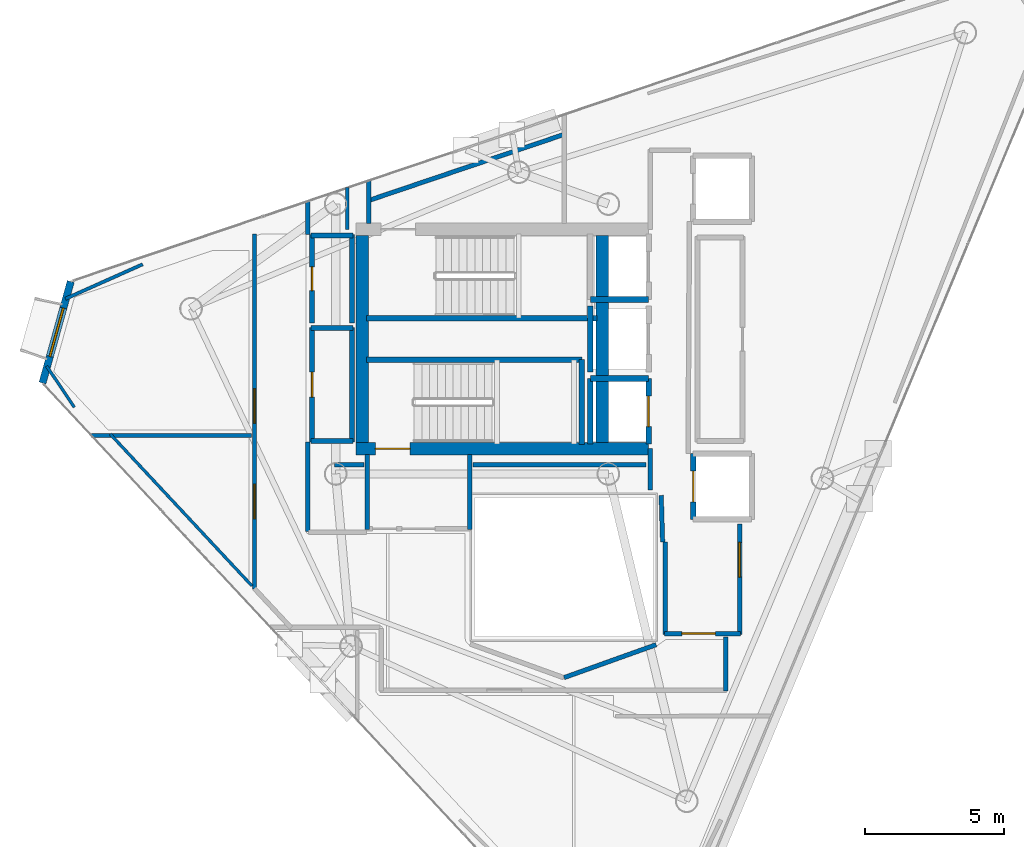
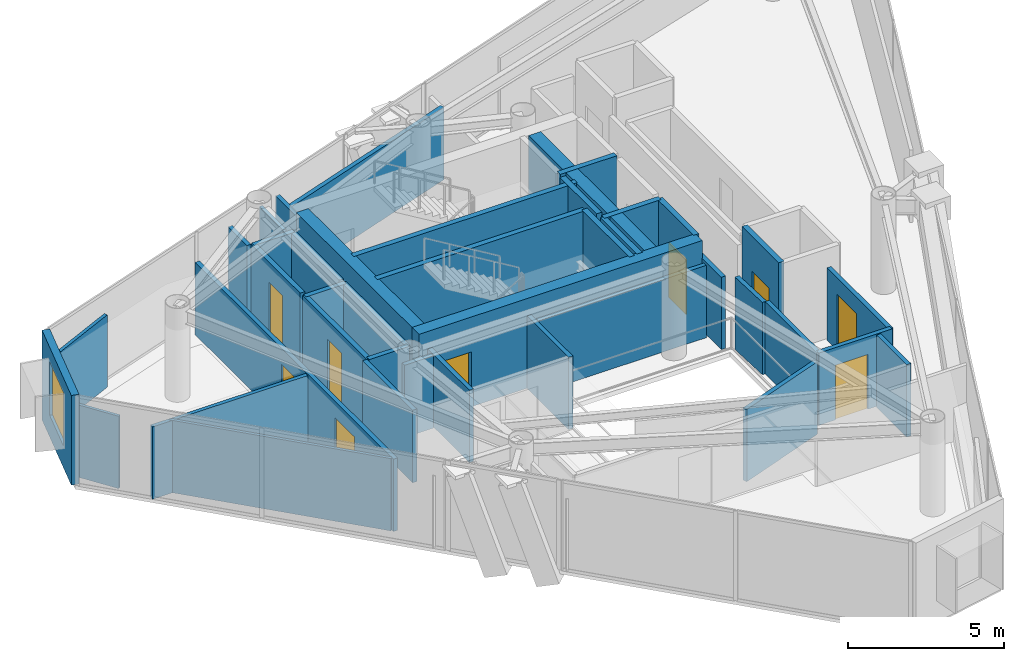
# One storey, part 17 of 19: 41 walls, 9 doors, 1 window, 10 openings.
"""IFC4 building model written with IfcOpenShell, lengths in metres."""

import ifcopenshell
import ifcopenshell.guid

model = None  # the IFC model being written
_history = None  # IfcOwnerHistory: only IFC2X3 demands one
_inside = {}  # id of a spatial element -> (the spatial element, [elements in it])
_under = {}  # id of a project, library or spatial element -> (it, [spatial elements below it])
_declared = {}  # id of a project -> (the project, [libraries it declares])
_typed = {}  # id of a type object -> (the type object, [elements of that type])
_made_of = {}  # id of a material, layer set ... -> (it, [elements and type objects made of it])


def new_model(schema):
    """Start an empty IFC model of exactly this schema.

    Asked for "IFC4X3", IfcOpenShell would pick the latest addendum, in which some entities
    have other attributes; the version numbers below select the first issue.
    IFC2X3 requires an IfcOwnerHistory on every rooted entity: one is made here for all.
    """
    global model, _history
    if schema == "IFC4X3":
        model = ifcopenshell.file(schema_version=(4, 3, 0, 0))
    else:
        model = ifcopenshell.file(schema=schema)
    _inside.clear()
    _under.clear()
    _declared.clear()
    _typed.clear()
    _made_of.clear()
    _history = None
    if model.schema == "IFC2X3":
        org = make("IfcOrganization", Name="unknown")
        user = make(
            "IfcPersonAndOrganization",
            ThePerson=make("IfcPerson", FamilyName="unknown"),
            TheOrganization=org,
        )
        app = make(
            "IfcApplication",
            ApplicationDeveloper=org,
            Version="unknown",
            ApplicationFullName="unknown",
            ApplicationIdentifier="unknown",
        )
        _history = make(
            "IfcOwnerHistory",
            OwningUser=user,
            OwningApplication=app,
            ChangeAction="ADDED",
            CreationDate=0,
        )
    return model


def make(cls, **values):
    """One entity of the class cls with the attributes given. An attribute that is None is left unset."""
    return model.create_entity(
        cls, **{name: value for name, value in values.items() if value is not None}
    )


def rooted(cls, **values):
    """An entity with a GlobalId (a new one), such as an element, a storey or a relation."""
    return make(cls, GlobalId=ifcopenshell.guid.new(), OwnerHistory=_history, **values)


def si_unit(unit_type, name, prefix=None):
    """IfcSIUnit, for example si_unit("LENGTHUNIT", "METRE", prefix="MILLI")."""
    return make("IfcSIUnit", UnitType=unit_type, Prefix=prefix, Name=name)


def assignment(units):
    """IfcUnitAssignment: the units of a project."""
    return None if units is None else make("IfcUnitAssignment", Units=units)


def point(xyz):
    """IfcCartesianPoint."""
    return None if xyz is None else make("IfcCartesianPoint", Coordinates=xyz)


def direction(xyz):
    """IfcDirection."""
    return None if xyz is None else make("IfcDirection", DirectionRatios=xyz)


def frame(location, z_axis=None, x_axis=None):
    """IfcAxis2Placement3D, a coordinate frame: its origin and axes. An axis left out is left unset."""
    return make(
        "IfcAxis2Placement3D",
        Location=point(location),
        Axis=direction(z_axis),
        RefDirection=direction(x_axis),
    )


def frame_2d(location, x_axis=None):
    """IfcAxis2Placement2D, a coordinate frame in the plane: its origin and x axis."""
    return make(
        "IfcAxis2Placement2D", Location=point(location), RefDirection=direction(x_axis)
    )


def origin():
    """The frame at (0, 0, 0) with its axes left unset."""
    return frame((0.0, 0.0, 0.0))


def place(relative_to, where):
    """IfcLocalPlacement: puts the frame where relative to a parent placement (None: the world)."""
    return make(
        "IfcLocalPlacement", PlacementRelTo=relative_to, RelativePlacement=where
    )


def context(
    kind, dimensions, precision=None, world=None, true_north=None, identifier=None
):
    """IfcGeometricRepresentationContext, for example the 3D "Model" context."""
    return make(
        "IfcGeometricRepresentationContext",
        ContextIdentifier=identifier,
        ContextType=kind,
        CoordinateSpaceDimension=dimensions,
        Precision=precision,
        WorldCoordinateSystem=world,
        TrueNorth=true_north,
    )


def subcontext(parent, identifier, kind, view, scale=None):
    """IfcGeometricRepresentationSubContext, for example "Body" below "Model"."""
    return make(
        "IfcGeometricRepresentationSubContext",
        ContextIdentifier=identifier,
        ContextType=kind,
        ParentContext=parent,
        TargetScale=scale,
        TargetView=view,
    )


def project(units=None, contexts=None):
    """IfcProject with its units and contexts."""
    return rooted(
        "IfcProject",
        Name="project",
        RepresentationContexts=contexts,
        UnitsInContext=assignment(units),
    )


def spatial(cls, under=None, at=None, **own):
    """A site, building, storey or space (cls), placed at a placement, below another one or the project."""
    s = rooted(cls, ObjectPlacement=at, **own)
    if under is not None:
        _under.setdefault(under.id(), (under, []))[1].append(s)
    return s


def profile(cls, at=None, kind="AREA", **sizes):
    """A parametric profile (cls). Its sizes go by their IFC names, for example OverallWidth=200.0."""
    return make(cls, ProfileType=kind, Position=at, **sizes)


def rectangle(**sizes):
    """IfcRectangleProfileDef."""
    return profile("IfcRectangleProfileDef", **sizes)


def extrude(swept, where, along, depth):
    """IfcExtrudedAreaSolid: the profile swept, set in the frame where, extruded along a direction by depth."""
    return make(
        "IfcExtrudedAreaSolid",
        SweptArea=swept,
        Position=where,
        ExtrudedDirection=direction(along),
        Depth=depth,
    )


def shape(context_of_items, identifier, shape_type, items):
    """IfcShapeRepresentation: the items that make up one representation, for example the "Body"."""
    return make(
        "IfcShapeRepresentation",
        ContextOfItems=context_of_items,
        RepresentationIdentifier=identifier,
        RepresentationType=shape_type,
        Items=items,
    )


def material(Name=None, Category=None):
    """IfcMaterial."""
    return make("IfcMaterial", Name=Name, Category=Category)


def layer(
    of_material, thickness, ventilated=None, Name=None, Category=None, Priority=None
):
    """IfcMaterialLayer: one layer of a wall or slab, of a material (None: an air gap)."""
    return make(
        "IfcMaterialLayer",
        Material=of_material,
        LayerThickness=thickness,
        IsVentilated=ventilated,
        Name=Name,
        Category=Category,
        Priority=Priority,
    )


def layer_set(layers, Name=None):
    """IfcMaterialLayerSet."""
    return make("IfcMaterialLayerSet", MaterialLayers=layers, LayerSetName=Name)


def made_of(thing, what):
    """Note that an element or type object is made of a material, layer set ...; save() writes the relation."""
    if what is not None:
        _made_of.setdefault(what.id(), (what, []))[1].append(thing)
    return thing


def type_object(cls, material=None, **own):
    """A type object (cls), such as IfcWallType, which elements share."""
    return made_of(rooted(cls, **own), material)


def element(
    cls,
    number,
    at=None,
    inside=None,
    cuts=None,
    type_object=None,
    material=None,
    context=None,
    identifier="Body",
    shape_type=None,
    held_by="IfcProductDefinitionShape",
    body=None,
    shapes=None,
    **own,
):
    """One element of the class cls, such as IfcWall. Its Tag is "e" and its number.

    at: its placement. inside: the storey or other place that contains it. cuts: it is an
    opening in that element (IfcRelVoidsElement). A single representation is given by context,
    identifier, shape_type and body (its items); several are given by shapes. held_by: the class
    of the entity that holds the representations. save() writes the other relations.
    """
    e = rooted(cls, Tag="e%d" % number, ObjectPlacement=at, **own)
    if body is not None:
        shapes = [shape(context, identifier, shape_type, body)]
    if shapes is not None:
        e.Representation = make(held_by, Representations=shapes)
    if inside is not None:
        _inside.setdefault(inside.id(), (inside, []))[1].append(e)
    if cuts is not None:
        rooted(
            "IfcRelVoidsElement", RelatingBuildingElement=cuts, RelatedOpeningElement=e
        )
    if type_object is not None:
        _typed.setdefault(type_object.id(), (type_object, []))[1].append(e)
    return made_of(e, material)


def fill(opening, filler):
    """IfcRelFillsElement: the door or window that sits in an opening."""
    return rooted(
        "IfcRelFillsElement",
        RelatingOpeningElement=opening,
        RelatedBuildingElement=filler,
    )


def aggregate(whole, parts):
    """IfcRelAggregates: a whole, such as a stair, and the parts it consists of."""
    return rooted("IfcRelAggregates", RelatingObject=whole, RelatedObjects=parts)


def save(model, path):
    """Write the relations noted so far, then the file.

    IfcRelAggregates (storeys below a building ...), IfcRelContainedInSpatialStructure (elements
    in a storey), IfcRelDefinesByType, IfcRelAssociatesMaterial and IfcRelDeclares: one each for
    every whole, place, type object, material and project.
    """
    for whole, parts in _under.values():
        aggregate(whole, parts)
    for where, things in _inside.values():
        rooted(
            "IfcRelContainedInSpatialStructure",
            RelatedElements=things,
            RelatingStructure=where,
        )
    for kind, things in _typed.values():
        rooted("IfcRelDefinesByType", RelatedObjects=things, RelatingType=kind)
    for what, things in _made_of.values():
        rooted("IfcRelAssociatesMaterial", RelatedObjects=things, RelatingMaterial=what)
    for by, libraries in _declared.values():
        rooted("IfcRelDeclares", RelatingContext=by, RelatedDefinitions=libraries)
    model.write(path)


model = new_model("IFC4")

# Units and contexts
model_context = context("Model", 3, precision=1e-05, world=origin(), true_north=direction((0.0, 1.0)))
body_context = subcontext(model_context, "Body", "Model", "MODEL_VIEW")
ifc_project = project(units=[si_unit("LENGTHUNIT", "METRE"), si_unit("AREAUNIT", "SQUARE_METRE"), si_unit("VOLUMEUNIT", "CUBIC_METRE"), si_unit("PLANEANGLEUNIT", "RADIAN"), si_unit("MASSUNIT", "GRAM", prefix="KILO")], contexts=[model_context])

# Site, building, storey
site_placement = place(None, origin())
site = spatial("IfcSite", under=ifc_project, at=site_placement, CompositionType="ELEMENT")
building_placement = place(site_placement, origin())
building = spatial("IfcBuilding", under=site, at=building_placement, Name="Qianvela Tower", CompositionType="ELEMENT")
storey_placement = place(building_placement, frame((0.0, 0.0, 333.300048828125)))
storey = spatial("IfcBuildingStorey", under=building, at=storey_placement, Name="L86", CompositionType="ELEMENT", Elevation=333.300048828125)

# Wall, opening, window
ifc_material_1 = material(Name="Terracotta Cladding on Concrete C40", Category="masonry")
ifc_layer_1 = layer(ifc_material_1, 0.260009765625)
ifc_layer_set_1 = layer_set([ifc_layer_1], Name="Terracotta Cladding on Concrete C40")
wall_type_1 = type_object("IfcWallType", Name="TERRACOTTA-WALL-260", PredefinedType="SOLIDWALL", material=ifc_layer_set_1)
wall_1_placement = place(storey_placement, frame((19.0771484375, 30.7646484375, 0.0), z_axis=(0.0, 0.0, 1.0), x_axis=(-0.268471972046, -0.963287496143, 0.0)))
wall_1 = element("IfcWall", 1, at=wall_1_placement, inside=storey, type_object=wall_type_1, Name="L86 Terracotta Chamfer Facet Wall 3", PredefinedType="SOLIDWALL", context=body_context, shape_type="SweptSolid", body=[
    extrude(rectangle(XDim=3.78564453125, YDim=0.260009765625, at=frame_2d((1.892822265625, 0.0))), origin(), (0.0, 0.0, 1.0), 3.52001953125),
])
opening_1_placement = place(wall_1_placement, frame((0.992919921875, 0.0, 0.85009765625)))
opening_1 = element("IfcOpeningElement", 2, at=opening_1_placement, cuts=wall_1, Name="Opening W-01", PredefinedType="OPENING", context=body_context, shape_type="SweptSolid", body=[
    extrude(rectangle(XDim=1.800048828125, YDim=2.10009765625, at=frame_2d((0.89990234375, 1.050048828125))), frame((0.0, 0.139892578125, 0.0), z_axis=(0.0, -1.0, 0.0), x_axis=(1.0, 0.0, 0.0)), (0.0, 0.0, 1.0), 0.280029296875),
])
ifc_material_2 = material(Name="Thermally Broken Aluminium and Low-E Glass", Category="aluminium")
window_type = type_object("IfcWindowType", Name="WIN-TC-1800x2100", PartitioningType="DOUBLE_PANEL_VERTICAL", PredefinedType="WINDOW", material=ifc_material_2)
window_placement = place(opening_1_placement, origin())
window = element("IfcWindow", 3, at=window_placement, inside=storey, type_object=window_type, Name="L86 Chamfer Facet Window 3.1", OverallHeight=2.10009765625, OverallWidth=1.800048828125, PartitioningType="SINGLE_PANEL", PredefinedType="WINDOW", context=body_context, shape_type="SweptSolid", body=[
    extrude(rectangle(XDim=1.800048828125, YDim=2.10009765625, at=frame_2d((0.89990234375, 1.050048828125))), frame((0.0, 0.030029296875, 0.0), z_axis=(0.0, -1.0, 0.0), x_axis=(1.0, 0.0, 0.0)), (0.0, 0.0, 1.0), 0.06005859375),
])
fill(opening_1, window)

# Wall, opening, door
ifc_material_3 = material(Name="Concrete C50", Category="concrete")
ifc_layer_2 = layer(ifc_material_3, 0.449951171875)
ifc_layer_set_2 = layer_set([ifc_layer_2], Name="Concrete C50")
wall_type_2 = type_object("IfcWallType", Name="WT-CORE-450", PredefinedType="SHEAR", material=ifc_layer_set_2)
wall_2_placement = place(storey_placement, frame((29.330078125, 24.7548828125, 0.0), z_axis=(0.0, 0.0, 1.0), x_axis=(1.0, 0.0, 0.0)))
wall_2 = element("IfcWall", 4, at=wall_2_placement, inside=storey, type_object=wall_type_2, Name="L86 South Core Shear Wall", PredefinedType="SHEAR", context=body_context, shape_type="SweptSolid", body=[
    extrude(rectangle(XDim=10.52001953125, YDim=0.449951171875, at=frame_2d((5.260009765625, 0.0))), origin(), (0.0, 0.0, 1.0), 3.52001953125),
])
opening_2_placement = place(wall_2_placement, frame((0.695068359375, 0.0, 0.0)))
opening_2 = element("IfcOpeningElement", 5, at=opening_2_placement, cuts=wall_2, Name="Opening D-ST1", PredefinedType="OPENING", context=body_context, shape_type="SweptSolid", body=[
    extrude(rectangle(XDim=1.25, YDim=2.14990234375, at=frame_2d((0.625, 1.074951171875))), frame((0.0, 0.23486328125, 0.0), z_axis=(0.0, -1.0, 0.0), x_axis=(1.0, 0.0, 0.0)), (0.0, 0.0, 1.0), 0.469970703125),
])
ifc_material_4 = material(Name="Galvanised Fire Steel Q355B", Category="steel")
door_type_1 = type_object("IfcDoorType", Name="DT-STAIR-FD90", OperationType="NOTDEFINED", PredefinedType="DOOR", material=ifc_material_4)
door_1_placement = place(opening_2_placement, origin())
door_1 = element("IfcDoor", 6, at=door_1_placement, inside=storey, type_object=door_type_1, Name="L86 Stair ST-2 Exit Door", OperationType="SINGLE_SWING_RIGHT", OverallHeight=2.14990234375, OverallWidth=1.25, PredefinedType="DOOR", context=body_context, shape_type="SweptSolid", body=[
    extrude(rectangle(XDim=1.25, YDim=2.14990234375, at=frame_2d((0.625, 1.074951171875))), frame((0.0, 0.02490234375, 0.0), z_axis=(0.0, -1.0, 0.0), x_axis=(1.0, 0.0, 0.0)), (0.0, 0.0, 1.0), 0.050048828125),
])
fill(opening_2, door_1)

# Walls
for number, where, z_axis, x_axis, name in (
    (7, (29.554931640625, 24.97998046875, 0.0), (0.0, 0.0, 1.0), (0.0, 1.0, 0.0), "L86 West Core Shear Wall"),
    (8, (38.179931640625, 24.97998046875, 0.0), (0.0, 0.0, 1.0), (0.0, 1.0, 0.0), "L86 East Spine Core Shear Wall"),
):
    element("IfcWall", number, at=place(storey_placement, frame(where, z_axis=z_axis, x_axis=x_axis)), inside=storey, type_object=wall_type_2, Name=name, PredefinedType="SHEAR", context=body_context, shape_type="SweptSolid", body=[
        extrude(rectangle(XDim=7.43994140625, YDim=0.449951171875, at=frame_2d((3.719970703125, 0.0))), origin(), (0.0, 0.0, 1.0), 3.52001953125),
    ])
ifc_material_5 = material(Name="Fire-Rated Gypsum and Concrete Block", Category="concrete")
ifc_layer_3 = layer(ifc_material_5, 0.159912109375)
ifc_layer_set_3 = layer_set([ifc_layer_3], Name="Fire-Rated Gypsum and Concrete Block")
wall_type_3 = type_object("IfcWallType", Name="WT-CORR-160", PredefinedType="PARTITIONING", material=ifc_layer_set_3)
wall_3_placement = place(storey_placement, frame((29.760009765625, 33.66943359375, 0.0), z_axis=(0.0, 0.0, 1.0), x_axis=(0.947283213355, 0.32039743085, 0.0)))
element("IfcWall", 9, at=wall_3_placement, inside=storey, type_object=wall_type_3, Name="L86 Partition 1", PredefinedType="PARTITIONING", context=body_context, shape_type="SweptSolid", body=[
    extrude(rectangle(XDim=7.494873046875, YDim=0.159912109375, at=frame_2d((3.74755859375, 0.0))), origin(), (0.0, 0.0, 1.0), 2.83984375),
])
wall_4_placement = place(storey_placement, frame((29.781005859375, 32.85791015625, 0.0), z_axis=(0.0, 0.0, 1.0), x_axis=(0.0, 1.0, 0.0)))
element("IfcWall", 10, at=wall_4_placement, inside=storey, type_object=wall_type_3, Name="L86 Partition 4", PredefinedType="PARTITIONING", context=body_context, shape_type="SweptSolid", body=[
    extrude(rectangle(XDim=1.547119140625, YDim=0.159912109375, at=frame_2d((0.7734375, 0.0))), origin(), (0.0, 0.0, 1.0), 2.83984375),
])
for number, where, z_axis, x_axis, name in (
    (11, (29.73095703125, 21.85009765625, 0.0), (0.0, 0.0, 1.0), (0.0, 1.0, 0.0), "L86 Partition 6"),
    (12, (33.4189453125, 24.5419921875, 0.0), (0.0, 0.0, 1.0), (0.0, -1.0, 0.0), "L86 Partition 8"),
):
    element("IfcWall", number, at=place(storey_placement, frame(where, z_axis=z_axis, x_axis=x_axis)), inside=storey, type_object=wall_type_3, Name=name, PredefinedType="PARTITIONING", context=body_context, shape_type="SweptSolid", body=[
        extrude(rectangle(XDim=2.69189453125, YDim=0.159912109375, at=frame_2d((1.345947265625, 0.0))), origin(), (0.0, 0.0, 1.0), 2.83984375),
    ])
wall_5_placement = place(storey_placement, frame((40.35107421875, 21.40087890625, 0.0), z_axis=(0.0, 0.0, 1.0), x_axis=(-0.031058045979, 0.999517582527, 0.0)))
element("IfcWall", 13, at=wall_5_placement, inside=storey, type_object=wall_type_3, Name="L86 Partition 9", PredefinedType="PARTITIONING", context=body_context, shape_type="SweptSolid", body=[
    extrude(rectangle(XDim=1.68212890625, YDim=0.159912109375, at=frame_2d((0.841064453125, 0.0))), origin(), (0.0, 0.0, 1.0), 2.83984375),
])
wall_6_placement = place(storey_placement, frame((39.910888671875, 23.280029296875, 0.0), z_axis=(0.0, 0.0, 1.0), x_axis=(0.0, 1.0, 0.0)))
element("IfcWall", 14, at=wall_6_placement, inside=storey, type_object=wall_type_3, Name="L86 Partition 10", PredefinedType="PARTITIONING", context=body_context, shape_type="SweptSolid", body=[
    extrude(rectangle(XDim=1.47998046875, YDim=0.159912109375, at=frame_2d((0.739990234375, 0.0))), origin(), (0.0, 0.0, 1.0), 2.83984375),
])

# Wall, opening, door
wall_7_placement = place(storey_placement, frame((43.118896484375, 22.050048828125, 0.0), z_axis=(0.0, 0.0, 1.0), x_axis=(0.0, -1.0, 0.0)))
wall_7 = element("IfcWall", 15, at=wall_7_placement, inside=storey, type_object=wall_type_3, Name="L86 Partition 16", PredefinedType="PARTITIONING", context=body_context, shape_type="SweptSolid", body=[
    extrude(rectangle(XDim=3.969970703125, YDim=0.159912109375, at=frame_2d((1.98486328125, 0.0))), origin(), (0.0, 0.0, 1.0), 2.83984375),
])
opening_3_placement = place(wall_7_placement, frame((0.659912109375, 0.0, 0.0)))
opening_3 = element("IfcOpeningElement", 16, at=opening_3_placement, cuts=wall_7, Name="Opening D-LG1", PredefinedType="OPENING", context=body_context, shape_type="SweptSolid", body=[
    extrude(rectangle(XDim=1.25, YDim=2.199951171875, at=frame_2d((0.625, 1.10009765625))), frame((0.0, 0.08984375, 0.0), z_axis=(0.0, -1.0, 0.0), x_axis=(1.0, 0.0, 0.0)), (0.0, 0.0, 1.0), 0.179931640625),
])
ifc_material_6 = material(Name="Anodised Aluminium Acoustic Glass Door", Category="aluminium")
door_type_2 = type_object("IfcDoorType", Name="DT-LOUNGE-1250", OperationType="NOTDEFINED", PredefinedType="DOOR", material=ifc_material_6)
door_2_placement = place(opening_3_placement, origin())
door_2 = element("IfcDoor", 17, at=door_2_placement, inside=storey, type_object=door_type_2, Name="L86 Door Social Sitting Lounge L86-03 to L86 Lift Lobby", OperationType="SINGLE_SWING_LEFT", OverallHeight=2.199951171875, OverallWidth=1.25, PredefinedType="DOOR", context=body_context, shape_type="SweptSolid", body=[
    extrude(rectangle(XDim=1.25, YDim=2.199951171875, at=frame_2d((0.625, 1.10009765625))), frame((0.0, 0.02490234375, 0.0), z_axis=(0.0, -1.0, 0.0), x_axis=(1.0, 0.0, 0.0)), (0.0, 0.0, 1.0), 0.050048828125),
])
fill(opening_3, door_2)

wall_8_placement = place(storey_placement, frame((43.14990234375, 18.111083984375, 0.0), z_axis=(0.0, 0.0, 1.0), x_axis=(-1.0, 0.0, 0.0)))
wall_8 = element("IfcWall", 18, at=wall_8_placement, inside=storey, type_object=wall_type_3, Name="L86 Partition 17", PredefinedType="PARTITIONING", context=body_context, shape_type="SweptSolid", body=[
    extrude(rectangle(XDim=2.72998046875, YDim=0.159912109375, at=frame_2d((1.364990234375, 0.0))), origin(), (0.0, 0.0, 1.0), 2.83984375),
])
opening_4_placement = place(wall_8_placement, frame((0.905029296875, 0.0, 0.0)))
opening_4 = element("IfcOpeningElement", 19, at=opening_4_placement, cuts=wall_8, Name="Opening D-LB1", PredefinedType="OPENING", context=body_context, shape_type="SweptSolid", body=[
    extrude(rectangle(XDim=1.199951171875, YDim=2.14990234375, at=frame_2d((0.60009765625, 1.074951171875))), frame((0.0, 0.08984375, 0.0), z_axis=(0.0, -1.0, 0.0), x_axis=(1.0, 0.0, 0.0)), (0.0, 0.0, 1.0), 0.179931640625),
])
ifc_material_7 = material(Name="Glazed Fire-Rated Steel Frame", Category="steel")
door_type_3 = type_object("IfcDoorType", Name="DT-LOBBY-FD90", OperationType="NOTDEFINED", PredefinedType="DOOR", material=ifc_material_7)
door_3_placement = place(opening_4_placement, origin())
door_3 = element("IfcDoor", 20, at=door_3_placement, inside=storey, type_object=door_type_3, Name="L86 Door L86 Lift Lobby to L86 Floor Corridor", OperationType="SINGLE_SWING_LEFT", OverallHeight=2.14990234375, OverallWidth=1.199951171875, PredefinedType="DOOR", context=body_context, shape_type="SweptSolid", body=[
    extrude(rectangle(XDim=1.199951171875, YDim=2.14990234375, at=frame_2d((0.60009765625, 1.074951171875))), frame((0.0, 0.02490234375, 0.0), z_axis=(0.0, -1.0, 0.0), x_axis=(1.0, 0.0, 0.0)), (0.0, 0.0, 1.0), 0.050048828125),
])
fill(opening_4, door_3)

# Walls
wall_9_placement = place(storey_placement, frame((40.450927734375, 18.080078125, 0.0), z_axis=(0.0, 0.0, 1.0), x_axis=(0.0, 1.0, 0.0)))
element("IfcWall", 21, at=wall_9_placement, inside=storey, type_object=wall_type_3, Name="L86 Partition 18 seg 1", PredefinedType="PARTITIONING", context=body_context, shape_type="SweptSolid", body=[
    extrude(rectangle(XDim=3.31982421875, YDim=0.159912109375, at=frame_2d((1.659912109375, 0.0))), origin(), (0.0, 0.0, 1.0), 2.83984375),
])
wall_10_placement = place(storey_placement, frame((29.6201171875, 24.180908203125, 0.0), z_axis=(0.0, 0.0, 1.0), x_axis=(-1.0, 0.0, 0.0)))
element("IfcWall", 22, at=wall_10_placement, inside=storey, type_object=wall_type_3, Name="L86 Partition 36", PredefinedType="PARTITIONING", context=body_context, shape_type="SweptSolid", body=[
    extrude(rectangle(XDim=1.070068359375, YDim=0.159912109375, at=frame_2d((0.53515625, 0.0))), origin(), (0.0, 0.0, 1.0), 2.83984375),
])
wall_11_placement = place(storey_placement, frame((39.75, 24.180908203125, 0.0), z_axis=(0.0, 0.0, 1.0), x_axis=(-1.0, 0.0, 0.0)))
element("IfcWall", 23, at=wall_11_placement, inside=storey, type_object=wall_type_3, Name="L86 Partition 44", PredefinedType="PARTITIONING", context=body_context, shape_type="SweptSolid", body=[
    extrude(rectangle(XDim=6.219970703125, YDim=0.159912109375, at=frame_2d((3.10986328125, 0.0))), origin(), (0.0, 0.0, 1.0), 2.83984375),
])
wall_12_placement = place(storey_placement, frame((27.589111328125, 33.66357421875, 0.0), z_axis=(0.0, 0.0, 1.0), x_axis=(0.0, -1.0, 0.0)))
element("IfcWall", 24, at=wall_12_placement, inside=storey, type_object=wall_type_3, Name="L86 Partition 45 seg 1", PredefinedType="PARTITIONING", context=body_context, shape_type="SweptSolid", body=[
    extrude(rectangle(XDim=1.213623046875, YDim=0.159912109375, at=frame_2d((0.60693359375, 0.0))), origin(), (0.0, 0.0, 1.0), 2.83984375),
])
wall_13_placement = place(storey_placement, frame((27.589111328125, 25.0, 0.0), z_axis=(0.0, 0.0, 1.0), x_axis=(0.0, -1.0, 0.0)))
element("IfcWall", 25, at=wall_13_placement, inside=storey, type_object=wall_type_3, Name="L86 Partition 45 seg 3", PredefinedType="PARTITIONING", context=body_context, shape_type="SweptSolid", body=[
    extrude(rectangle(XDim=3.219970703125, YDim=0.159912109375, at=frame_2d((1.60986328125, 0.0))), origin(), (0.0, 0.0, 1.0), 2.83984375),
])
wall_14_placement = place(storey_placement, frame((36.810302734375, 16.52880859375, 0.0), z_axis=(0.0, 0.0, 1.0), x_axis=(0.941548344365, 0.33687789364, 0.0)))
element("IfcWall", 26, at=wall_14_placement, inside=storey, type_object=wall_type_3, Name="L86 Partition 48", PredefinedType="PARTITIONING", context=body_context, shape_type="SweptSolid", body=[
    extrude(rectangle(XDim=3.5126953125, YDim=0.159912109375, at=frame_2d((1.75634765625, 0.0))), origin(), (0.0, 0.0, 1.0), 2.83984375),
])
wall_15_placement = place(storey_placement, frame((42.618896484375, 17.97998046875, 0.0), z_axis=(0.0, 0.0, 1.0), x_axis=(0.0, -1.0, 0.0)))
element("IfcWall", 27, at=wall_15_placement, inside=storey, type_object=wall_type_3, Name="L86 Partition 50", PredefinedType="PARTITIONING", context=body_context, shape_type="SweptSolid", body=[
    extrude(rectangle(XDim=1.929931640625, YDim=0.159912109375, at=frame_2d((0.96484375, 0.0))), origin(), (0.0, 0.0, 1.0), 2.83984375),
])

# Wall, openings, doors
wall_16_placement = place(storey_placement, frame((25.680908203125, 19.716064453125, 0.0), z_axis=(0.0, 0.0, 1.0), x_axis=(0.0, 1.0, 0.0)))
wall_16 = element("IfcWall", 28, at=wall_16_placement, inside=storey, type_object=wall_type_3, Name="L86 Partition 55", PredefinedType="PARTITIONING", context=body_context, shape_type="SweptSolid", body=[
    extrude(rectangle(XDim=12.7490234375, YDim=0.159912109375, at=frame_2d((6.37451171875, 0.0))), origin(), (0.0, 0.0, 1.0), 2.83984375),
])
opening_5_placement = place(wall_16_placement, frame((2.516357421875, 0.0, 0.0)))
opening_5 = element("IfcOpeningElement", 29, at=opening_5_placement, cuts=wall_16, Name="Opening D-LG1", PredefinedType="OPENING", context=body_context, shape_type="SweptSolid", body=[
    extrude(rectangle(XDim=1.25, YDim=2.199951171875, at=frame_2d((0.625, 1.10009765625))), frame((0.0, 0.08984375, 0.0), z_axis=(0.0, -1.0, 0.0), x_axis=(1.0, 0.0, 0.0)), (0.0, 0.0, 1.0), 0.179931640625),
])
opening_6_placement = place(wall_16_placement, frame((5.9521484375, 0.0, 0.0)))
opening_6 = element("IfcOpeningElement", 30, at=opening_6_placement, cuts=wall_16, Name="Opening D-LG1", PredefinedType="OPENING", context=body_context, shape_type="SweptSolid", body=[
    extrude(rectangle(XDim=1.25, YDim=2.199951171875, at=frame_2d((0.625, 1.10009765625))), frame((0.0, 0.08984375, 0.0), z_axis=(0.0, -1.0, 0.0), x_axis=(1.0, 0.0, 0.0)), (0.0, 0.0, 1.0), 0.179931640625),
])
door_4_placement = place(opening_5_placement, origin())
door_4 = element("IfcDoor", 31, at=door_4_placement, inside=storey, type_object=door_type_2, Name="L86 Door Quiet Reading Study L86-01 to L86 Floor Corridor", OperationType="SINGLE_SWING_LEFT", OverallHeight=2.199951171875, OverallWidth=1.25, PredefinedType="DOOR", context=body_context, shape_type="SweptSolid", body=[
    extrude(rectangle(XDim=1.25, YDim=2.199951171875, at=frame_2d((0.625, 1.10009765625))), frame((0.0, 0.02490234375, 0.0), z_axis=(0.0, -1.0, 0.0), x_axis=(1.0, 0.0, 0.0)), (0.0, 0.0, 1.0), 0.050048828125),
])
fill(opening_5, door_4)
door_5_placement = place(opening_6_placement, origin())
door_5 = element("IfcDoor", 32, at=door_5_placement, inside=storey, type_object=door_type_2, Name="L86 Door Commons Day Lounge L86-04 to L86 Floor Corridor", OperationType="SINGLE_SWING_RIGHT", OverallHeight=2.199951171875, OverallWidth=1.25, PredefinedType="DOOR", context=body_context, shape_type="SweptSolid", body=[
    extrude(rectangle(XDim=1.25, YDim=2.199951171875, at=frame_2d((0.625, 1.10009765625))), frame((0.0, 0.02490234375, 0.0), z_axis=(0.0, -1.0, 0.0), x_axis=(1.0, 0.0, 0.0)), (0.0, 0.0, 1.0), 0.050048828125),
])
fill(opening_6, door_5)

# Walls
ifc_material_8 = material(Name="Lightweight Gypsum Room Partition")
ifc_layer_4 = layer(ifc_material_8, 0.10498046875)
ifc_layer_set_4 = layer_set([ifc_layer_4], Name="Lightweight Gypsum Room Partition")
wall_type_4 = type_object("IfcWallType", Name="WT-PART-105", PredefinedType="PARTITIONING", material=ifc_layer_set_4)
wall_17_placement = place(storey_placement, frame((25.5927734375, 19.82275390625, 0.0), z_axis=(0.0, 0.0, 1.0), x_axis=(-0.68251047359, 0.730875812598, 0.0)))
element("IfcWall", 33, at=wall_17_placement, inside=storey, type_object=wall_type_4, Name="L86 Partition 59", PredefinedType="PARTITIONING", context=body_context, shape_type="SweptSolid", body=[
    extrude(rectangle(XDim=7.4658203125, YDim=0.10498046875, at=frame_2d((3.73291015625, 0.0))), origin(), (0.0, 0.0, 1.0), 2.83984375),
])
wall_18_placement = place(storey_placement, frame((19.203125, 26.24609375, 0.0), z_axis=(0.0, 0.0, 1.0), x_axis=(-0.556280915469, 0.830994309899, 0.0)))
element("IfcWall", 34, at=wall_18_placement, inside=storey, type_object=wall_type_4, Name="L86 Partition 92 seg 1", PredefinedType="PARTITIONING", context=body_context, shape_type="SweptSolid", body=[
    extrude(rectangle(XDim=1.781005859375, YDim=0.10498046875, at=frame_2d((0.890625, 0.0))), origin(), (0.0, 0.0, 1.0), 2.83984375),
])
ifc_material_9 = material(Name="Insulated Gypsum Stud Partition")
ifc_layer_5 = layer(ifc_material_9, 0.1201171875)
ifc_layer_set_5 = layer_set([ifc_layer_5], Name="Insulated Gypsum Stud Partition")
wall_type_5 = type_object("IfcWallType", Name="WT-PART-120", PredefinedType="PARTITIONING", material=ifc_layer_set_5)
wall_19_placement = place(storey_placement, frame((29.012939453125, 32.6298828125, 0.0), z_axis=(0.0, 0.0, 1.0), x_axis=(0.0, 1.0, 0.0)))
element("IfcWall", 35, at=wall_19_placement, inside=storey, type_object=wall_type_5, Name="L86 Partition 76", PredefinedType="PARTITIONING", context=body_context, shape_type="SweptSolid", body=[
    extrude(rectangle(XDim=1.515380859375, YDim=0.1201171875, at=frame_2d((0.7578125, 0.0))), origin(), (0.0, 0.0, 1.0), 2.83984375),
])
wall_20_placement = place(storey_placement, frame((18.88720703125, 30.14501953125, 0.0), z_axis=(0.0, 0.0, 1.0), x_axis=(0.91294188189, 0.408089598361, 0.0)))
element("IfcWall", 36, at=wall_20_placement, inside=storey, type_object=wall_type_5, Name="L86 Partition 94 seg 1", PredefinedType="PARTITIONING", context=body_context, shape_type="SweptSolid", body=[
    extrude(rectangle(XDim=3.040283203125, YDim=0.1201171875, at=frame_2d((1.52001953125, 0.0))), origin(), (0.0, 0.0, 1.0), 2.83984375),
])

# Wall, opening, door
ifc_material_10 = material(Name="Moisture-Resistant Acoustic Plumbing Wall")
ifc_layer_6 = layer(ifc_material_10, 0.175048828125)
ifc_layer_set_6 = layer_set([ifc_layer_6], Name="Moisture-Resistant Acoustic Plumbing Wall")
wall_type_6 = type_object("IfcWallType", Name="WT-PLUMB-175", PredefinedType="PLUMBINGWALL", material=ifc_layer_set_6)
wall_21_placement = place(storey_placement, frame((27.7509765625, 25.0, 0.0), z_axis=(0.0, 0.0, 1.0), x_axis=(0.0, 1.0, 0.0)))
wall_21 = element("IfcWall", 37, at=wall_21_placement, inside=storey, type_object=wall_type_6, Name="L86 Partition 23", PredefinedType="PLUMBINGWALL", context=body_context, shape_type="SweptSolid", body=[
    extrude(rectangle(XDim=4.1201171875, YDim=0.175048828125, at=frame_2d((2.06005859375, 0.0))), origin(), (0.0, 0.0, 1.0), 2.83984375),
])
opening_7_placement = place(wall_21_placement, frame((1.610107421875, 0.0, 0.0)))
opening_7 = element("IfcOpeningElement", 38, at=opening_7_placement, cuts=wall_21, Name="Opening D-KT1", PredefinedType="OPENING", context=body_context, shape_type="SweptSolid", body=[
    extrude(rectangle(XDim=0.89990234375, YDim=2.10009765625, at=frame_2d((0.449951171875, 1.050048828125))), frame((0.0, 0.097412109375, 0.0), z_axis=(0.0, -1.0, 0.0), x_axis=(1.0, 0.0, 0.0)), (0.0, 0.0, 1.0), 0.195068359375),
])
ifc_material_11 = material(Name="Glazed Timber Kitchen Door", Category="wood")
door_type_4 = type_object("IfcDoorType", Name="DT-KITCH-900", OperationType="NOTDEFINED", PredefinedType="DOOR", material=ifc_material_11)
door_6_placement = place(opening_7_placement, origin())
door_6 = element("IfcDoor", 39, at=door_6_placement, inside=storey, type_object=door_type_4, Name="L86 Door L86 Core Tea Pantry West to L86 Floor Corridor", OperationType="SINGLE_SWING_RIGHT", OverallHeight=2.10009765625, OverallWidth=0.89990234375, PredefinedType="DOOR", context=body_context, shape_type="SweptSolid", body=[
    extrude(rectangle(XDim=0.89990234375, YDim=2.10009765625, at=frame_2d((0.449951171875, 1.050048828125))), frame((0.0, 0.02490234375, 0.0), z_axis=(0.0, -1.0, 0.0), x_axis=(1.0, 0.0, 0.0)), (0.0, 0.0, 1.0), 0.050048828125),
])
fill(opening_7, door_6)

# Walls
wall_22_placement = place(storey_placement, frame((27.719970703125, 29.089111328125, 0.0), z_axis=(0.0, 0.0, 1.0), x_axis=(1.0, 0.0, 0.0)))
element("IfcWall", 40, at=wall_22_placement, inside=storey, type_object=wall_type_6, Name="L86 Partition 24", PredefinedType="PLUMBINGWALL", context=body_context, shape_type="SweptSolid", body=[
    extrude(rectangle(XDim=1.5, YDim=0.175048828125, at=frame_2d((0.75, 0.0))), origin(), (0.0, 0.0, 1.0), 2.83984375),
])
wall_23_placement = place(storey_placement, frame((29.18896484375, 29.1201171875, 0.0), z_axis=(0.0, 0.0, 1.0), x_axis=(0.0, -1.0, 0.0)))
element("IfcWall", 41, at=wall_23_placement, inside=storey, type_object=wall_type_6, Name="L86 Partition 25", PredefinedType="PLUMBINGWALL", context=body_context, shape_type="SweptSolid", body=[
    extrude(rectangle(XDim=4.1201171875, YDim=0.175048828125, at=frame_2d((2.06005859375, 0.0))), origin(), (0.0, 0.0, 1.0), 2.83984375),
])
wall_24_placement = place(storey_placement, frame((29.219970703125, 25.031005859375, 0.0), z_axis=(0.0, 0.0, 1.0), x_axis=(-1.0, 0.0, 0.0)))
element("IfcWall", 42, at=wall_24_placement, inside=storey, type_object=wall_type_6, Name="L86 Partition 26", PredefinedType="PLUMBINGWALL", context=body_context, shape_type="SweptSolid", body=[
    extrude(rectangle(XDim=1.5, YDim=0.175048828125, at=frame_2d((0.75, 0.0))), origin(), (0.0, 0.0, 1.0), 2.83984375),
])

# Wall, opening, door
wall_25_placement = place(storey_placement, frame((27.7509765625, 29.280029296875, 0.0), z_axis=(0.0, 0.0, 1.0), x_axis=(0.0, 1.0, 0.0)))
wall_25 = element("IfcWall", 43, at=wall_25_placement, inside=storey, type_object=wall_type_6, Name="L86 Partition 27", PredefinedType="PLUMBINGWALL", context=body_context, shape_type="SweptSolid", body=[
    extrude(rectangle(XDim=3.169921875, YDim=0.175048828125, at=frame_2d((1.5849609375, 0.0))), origin(), (0.0, 0.0, 1.0), 2.83984375),
])
opening_8_placement = place(wall_25_placement, frame((1.155029296875, 0.0, 0.0)))
opening_8 = element("IfcOpeningElement", 44, at=opening_8_placement, cuts=wall_25, Name="Opening D-WC1", PredefinedType="OPENING", context=body_context, shape_type="SweptSolid", body=[
    extrude(rectangle(XDim=0.860107421875, YDim=2.050048828125, at=frame_2d((0.43017578125, 1.02490234375))), frame((0.0, 0.097412109375, 0.0), z_axis=(0.0, -1.0, 0.0), x_axis=(1.0, 0.0, 0.0)), (0.0, 0.0, 1.0), 0.195068359375),
])
ifc_material_12 = material(Name="Moisture-Sealed Acoustic Timber Door", Category="wood")
door_type_5 = type_object("IfcDoorType", Name="DT-WC-860", OperationType="NOTDEFINED", PredefinedType="DOOR", material=ifc_material_12)
door_7_placement = place(opening_8_placement, origin())
door_7 = element("IfcDoor", 45, at=door_7_placement, inside=storey, type_object=door_type_5, Name="L86 Door L86 Accessible WC to L86 Floor Corridor", OperationType="SINGLE_SWING_LEFT", OverallHeight=2.050048828125, OverallWidth=0.860107421875, PredefinedType="DOOR", context=body_context, shape_type="SweptSolid", body=[
    extrude(rectangle(XDim=0.860107421875, YDim=2.050048828125, at=frame_2d((0.43017578125, 1.02490234375))), frame((0.0, 0.02490234375, 0.0), z_axis=(0.0, -1.0, 0.0), x_axis=(1.0, 0.0, 0.0)), (0.0, 0.0, 1.0), 0.050048828125),
])
fill(opening_8, door_7)

# Walls
wall_26_placement = place(storey_placement, frame((27.719970703125, 32.4189453125, 0.0), z_axis=(0.0, 0.0, 1.0), x_axis=(1.0, 0.0, 0.0)))
element("IfcWall", 46, at=wall_26_placement, inside=storey, type_object=wall_type_6, Name="L86 Partition 28", PredefinedType="PLUMBINGWALL", context=body_context, shape_type="SweptSolid", body=[
    extrude(rectangle(XDim=1.5, YDim=0.175048828125, at=frame_2d((0.75, 0.0))), origin(), (0.0, 0.0, 1.0), 2.83984375),
])
wall_27_placement = place(storey_placement, frame((29.18896484375, 32.449951171875, 0.0), z_axis=(0.0, 0.0, 1.0), x_axis=(0.0, -1.0, 0.0)))
element("IfcWall", 47, at=wall_27_placement, inside=storey, type_object=wall_type_6, Name="L86 Partition 29", PredefinedType="PLUMBINGWALL", context=body_context, shape_type="SweptSolid", body=[
    extrude(rectangle(XDim=3.169921875, YDim=0.175048828125, at=frame_2d((1.5849609375, 0.0))), origin(), (0.0, 0.0, 1.0), 2.83984375),
])
ifc_material_13 = material(Name="Acoustic Double Gypsum Stud Partition")
ifc_layer_7 = layer(ifc_material_13, 0.139892578125)
ifc_layer_set_7 = layer_set([ifc_layer_7], Name="Acoustic Double Gypsum Stud Partition")
wall_type_7 = type_object("IfcWallType", Name="WT-ROOM-140", PredefinedType="PARTITIONING", material=ifc_layer_set_7)
wall_28_placement = place(storey_placement, frame((19.806396484375, 25.22705078125, 0.0), z_axis=(0.0, 0.0, 1.0), x_axis=(1.0, 0.0, 0.0)))
element("IfcWall", 48, at=wall_28_placement, inside=storey, type_object=wall_type_7, Name="L86 Partition 57", PredefinedType="PARTITIONING", context=body_context, shape_type="SweptSolid", body=[
    extrude(rectangle(XDim=5.763671875, YDim=0.139892578125, at=frame_2d((2.8818359375, 0.0))), origin(), (0.0, 0.0, 1.0), 2.83984375),
])
ifc_material_14 = material(Name="Concrete C50", Category="concrete")
ifc_layer_8 = layer(ifc_material_14, 0.199951171875)
ifc_layer_set_8 = layer_set([ifc_layer_8], Name="Concrete C50")
wall_type_8 = type_object("IfcWallType", Name="WT-SHAFT-200", PredefinedType="SOLIDWALL", material=ifc_layer_set_8)
wall_29_placement = place(storey_placement, frame((29.699951171875, 29.449951171875, 0.0), z_axis=(0.0, 0.0, 1.0), x_axis=(1.0, 0.0, 0.0)))
element("IfcWall", 49, at=wall_29_placement, inside=storey, type_object=wall_type_8, Name="L86 Stair ST-1 South Wall", PredefinedType="SOLIDWALL", context=body_context, shape_type="SweptSolid", body=[
    extrude(rectangle(XDim=8.300048828125, YDim=0.199951171875, at=frame_2d((4.14990234375, 0.0))), origin(), (0.0, 0.0, 1.0), 3.52001953125),
])
wall_30_placement = place(storey_placement, frame((29.699951171875, 27.9599609375, 0.0), z_axis=(0.0, 0.0, 1.0), x_axis=(1.0, 0.0, 0.0)))
element("IfcWall", 50, at=wall_30_placement, inside=storey, type_object=wall_type_8, Name="L86 Stair ST-2 North Wall", PredefinedType="SOLIDWALL", context=body_context, shape_type="SweptSolid", body=[
    extrude(rectangle(XDim=7.75, YDim=0.199951171875, at=frame_2d((3.875, 0.0))), origin(), (0.0, 0.0, 1.0), 3.52001953125),
])
wall_31_placement = place(storey_placement, frame((37.449951171875, 24.89990234375, 0.0), z_axis=(0.0, 0.0, 1.0), x_axis=(0.0, 1.0, 0.0)))
element("IfcWall", 51, at=wall_31_placement, inside=storey, type_object=wall_type_8, Name="L86 Stair ST-2 East Wall", PredefinedType="SOLIDWALL", context=body_context, shape_type="SweptSolid", body=[
    extrude(rectangle(XDim=3.06005859375, YDim=0.199951171875, at=frame_2d((1.530029296875, 0.0))), origin(), (0.0, 0.0, 1.0), 3.52001953125),
])
wall_32_placement = place(storey_placement, frame((37.75, 30.1201171875, 0.0), z_axis=(0.0, 0.0, 1.0), x_axis=(1.0, 0.0, 0.0)))
element("IfcWall", 52, at=wall_32_placement, inside=storey, type_object=wall_type_8, Name="L86 Lift FL-1 S Shaft Wall", PredefinedType="SOLIDWALL", context=body_context, shape_type="SweptSolid", body=[
    extrude(rectangle(XDim=2.10009765625, YDim=0.199951171875, at=frame_2d((1.050048828125, 0.0))), origin(), (0.0, 0.0, 1.0), 3.52001953125),
])

# Wall, opening, door
wall_33_placement = place(storey_placement, frame((39.85009765625, 24.919921875, 0.0), z_axis=(0.0, 0.0, 1.0), x_axis=(0.0, 1.0, 0.0)))
wall_33 = element("IfcWall", 53, at=wall_33_placement, inside=storey, type_object=wall_type_8, Name="L86 Lift FL-2 E Shaft Wall", PredefinedType="SOLIDWALL", context=body_context, shape_type="SweptSolid", body=[
    extrude(rectangle(XDim=2.360107421875, YDim=0.199951171875, at=frame_2d((1.18017578125, 0.0))), origin(), (0.0, 0.0, 1.0), 3.52001953125),
])
opening_9_placement = place(wall_33_placement, frame((0.6298828125, 0.0, 0.0)))
opening_9 = element("IfcOpeningElement", 54, at=opening_9_placement, cuts=wall_33, Name="Opening LD-01", PredefinedType="OPENING", context=body_context, shape_type="SweptSolid", body=[
    extrude(rectangle(XDim=1.10009765625, YDim=2.14990234375, at=frame_2d((0.550048828125, 1.074951171875))), frame((0.0, 0.10986328125, 0.0), z_axis=(0.0, -1.0, 0.0), x_axis=(1.0, 0.0, 0.0)), (0.0, 0.0, 1.0), 0.219970703125),
])
ifc_material_15 = material(Name="Brushed Stainless Steel Lift Landing Door", Category="steel")
door_type_6 = type_object("IfcDoorType", Name="DT-LIFT-SLIDE-1100", OperationType="SLIDING_TO_LEFT", PredefinedType="DOOR", material=ifc_material_15)
door_8_placement = place(opening_9_placement, origin())
door_8 = element("IfcDoor", 55, at=door_8_placement, inside=storey, type_object=door_type_6, Name="L86 Lift FL-2 Sliding Landing Door", OperationType="SLIDING_TO_LEFT", OverallHeight=2.14990234375, OverallWidth=1.10009765625, PredefinedType="DOOR", context=body_context, shape_type="SweptSolid", body=[
    extrude(rectangle(XDim=1.10009765625, YDim=2.14990234375, at=frame_2d((0.550048828125, 1.074951171875))), frame((0.0, 0.02490234375, 0.0), z_axis=(0.0, -1.0, 0.0), x_axis=(1.0, 0.0, 0.0)), (0.0, 0.0, 1.0), 0.050048828125),
])
fill(opening_9, door_8)

# Walls
wall_34_placement = place(storey_placement, frame((37.75, 24.919921875, 0.0), z_axis=(0.0, 0.0, 1.0), x_axis=(0.0, 1.0, 0.0)))
element("IfcWall", 56, at=wall_34_placement, inside=storey, type_object=wall_type_8, Name="L86 Lift FL-2 W Shaft Wall", PredefinedType="SOLIDWALL", context=body_context, shape_type="SweptSolid", body=[
    extrude(rectangle(XDim=2.360107421875, YDim=0.199951171875, at=frame_2d((1.18017578125, 0.0))), origin(), (0.0, 0.0, 1.0), 3.52001953125),
])
wall_35_placement = place(storey_placement, frame((37.75, 27.280029296875, 0.0), z_axis=(0.0, 0.0, 1.0), x_axis=(1.0, 0.0, 0.0)))
element("IfcWall", 57, at=wall_35_placement, inside=storey, type_object=wall_type_8, Name="L86 Lift FL-2 N Shaft Wall", PredefinedType="SOLIDWALL", context=body_context, shape_type="SweptSolid", body=[
    extrude(rectangle(XDim=2.10009765625, YDim=0.199951171875, at=frame_2d((1.050048828125, 0.0))), origin(), (0.0, 0.0, 1.0), 3.52001953125),
])
wall_36_placement = place(storey_placement, frame((37.75, 27.52001953125, 0.0), z_axis=(0.0, 0.0, 1.0), x_axis=(0.0, 1.0, 0.0)))
element("IfcWall", 58, at=wall_36_placement, inside=storey, type_object=wall_type_8, Name="L86 Lift PL-H1 W Shaft Wall", PredefinedType="SOLIDWALL", context=body_context, shape_type="SweptSolid", body=[
    extrude(rectangle(XDim=2.35986328125, YDim=0.199951171875, at=frame_2d((1.179931640625, 0.0))), origin(), (0.0, 0.0, 1.0), 3.52001953125),
])

# Wall, opening, door
wall_37_placement = place(storey_placement, frame((41.449951171875, 22.219970703125, 0.0), z_axis=(0.0, 0.0, 1.0), x_axis=(0.0, 1.0, 0.0)))
wall_37 = element("IfcWall", 59, at=wall_37_placement, inside=storey, type_object=wall_type_8, Name="L86 Lift PL-H2 W Shaft Wall", PredefinedType="SOLIDWALL", context=body_context, shape_type="SweptSolid", body=[
    extrude(rectangle(XDim=2.360107421875, YDim=0.199951171875, at=frame_2d((1.18017578125, 0.0))), origin(), (0.0, 0.0, 1.0), 3.52001953125),
])
opening_10_placement = place(wall_37_placement, frame((0.6298828125, 0.0, 0.0)))
opening_10 = element("IfcOpeningElement", 60, at=opening_10_placement, cuts=wall_37, Name="Opening LD-01", PredefinedType="OPENING", context=body_context, shape_type="SweptSolid", body=[
    extrude(rectangle(XDim=1.10009765625, YDim=2.14990234375, at=frame_2d((0.550048828125, 1.074951171875))), frame((0.0, 0.10986328125, 0.0), z_axis=(0.0, -1.0, 0.0), x_axis=(1.0, 0.0, 0.0)), (0.0, 0.0, 1.0), 0.219970703125),
])
door_9_placement = place(opening_10_placement, origin())
door_9 = element("IfcDoor", 61, at=door_9_placement, inside=storey, type_object=door_type_6, Name="L86 Lift PL-H2 Sliding Landing Door", OperationType="SLIDING_TO_LEFT", OverallHeight=2.14990234375, OverallWidth=1.10009765625, PredefinedType="DOOR", context=body_context, shape_type="SweptSolid", body=[
    extrude(rectangle(XDim=1.10009765625, YDim=2.14990234375, at=frame_2d((0.550048828125, 1.074951171875))), frame((0.0, 0.02490234375, 0.0), z_axis=(0.0, -1.0, 0.0), x_axis=(1.0, 0.0, 0.0)), (0.0, 0.0, 1.0), 0.050048828125),
])
fill(opening_10, door_9)

save(model, "model.ifc")
